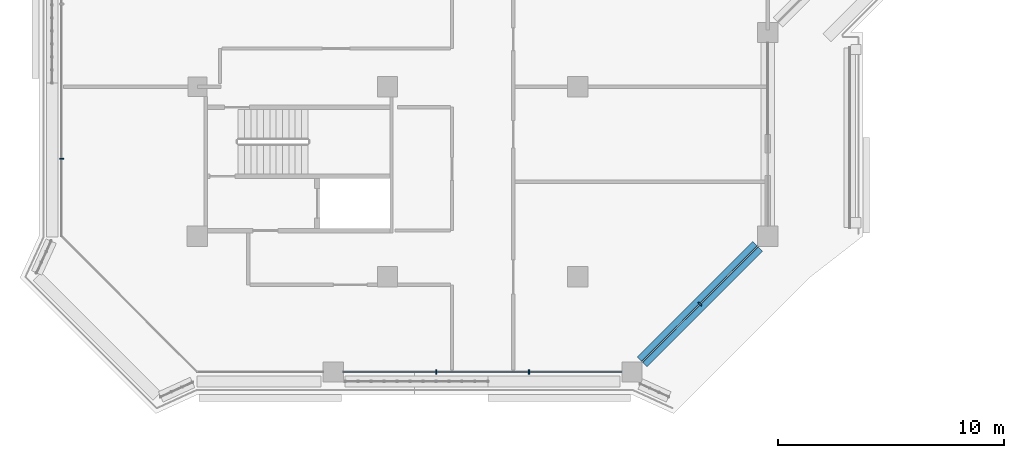
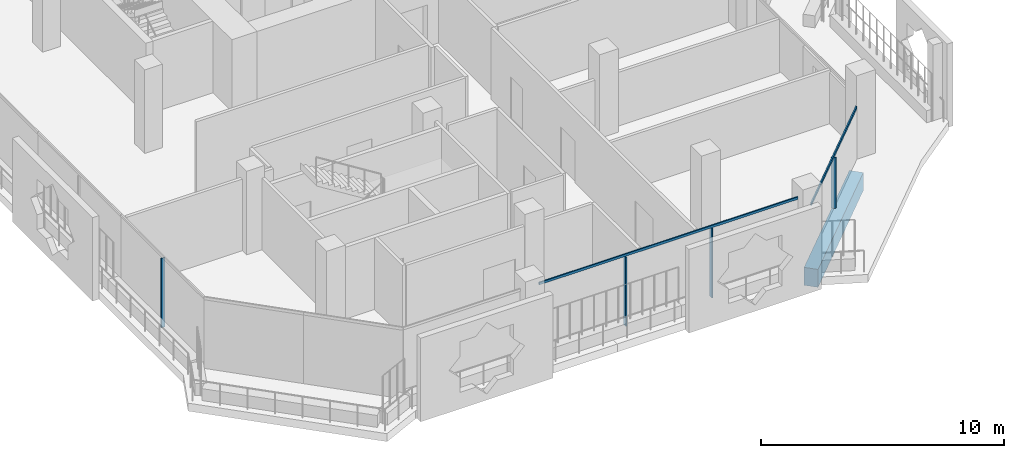
# One storey, part 2 of 21: 6 members, 1 beam, 3 elements without a shape of their own.
"""IFC4 building model written with IfcOpenShell, lengths in metres."""

from ifc_helpers import new_model, si_unit, direction, frame, origin, origin_2d, place, context, subcontext, project, spatial, rectangle, extrude, material, layer, layer_set, material_profile, profile_set, type_object, element, aggregate, save


model = new_model("IFC4")

# Units and contexts
model_context = context("Model", 3, precision=1e-05, world=origin(), true_north=direction((0.0, 1.0)))
body_context = subcontext(model_context, "Body", "Model", "MODEL_VIEW")
ifc_project = project(units=[si_unit("LENGTHUNIT", "METRE"), si_unit("AREAUNIT", "SQUARE_METRE"), si_unit("VOLUMEUNIT", "CUBIC_METRE"), si_unit("PLANEANGLEUNIT", "RADIAN"), si_unit("MASSUNIT", "GRAM", prefix="KILO")], contexts=[model_context])

# Site, building, storey
site_placement = place(None, origin())
site = spatial("IfcSite", under=ifc_project, at=site_placement, CompositionType="ELEMENT")
building_placement = place(site_placement, origin())
building = spatial("IfcBuilding", under=site, at=building_placement, Name="Kawkab Arch Medical Tower", CompositionType="ELEMENT")
storey_placement = place(building_placement, frame((0.0, 0.0, 243.199951171875)))
storey = spatial("IfcBuildingStorey", under=building, at=storey_placement, Name="L56", CompositionType="ELEMENT", Elevation=243.199951171875)

# Curtain wall, member
ifc_material_1 = material(Name="Bronze anodised aluminium curtain wall frame", Category="aluminium")
ifc_layer_1 = layer(ifc_material_1, 0.159912109375)
ifc_layer_set_1 = layer_set([ifc_layer_1], Name="Bronze anodised aluminium curtain wall frame")
curtain_wall_type_1 = type_object("IfcCurtainWallType", Name="CW1 ward curtain wall", PredefinedType="NOTDEFINED", material=ifc_layer_set_1)
placement = place(storey_placement, origin())
curtain_wall_1 = element("IfcCurtainWall", 1, at=placement, inside=storey, type_object=curtain_wall_type_1, Name="CW1 Ward curtain wall R01", PredefinedType="NOTDEFINED")
ifc_material_2 = material(Name="Bronze anodised aluminium curtain wall frame", Category="aluminium")
ifc_material_profile_1 = material_profile(ifc_material_2, rectangle(XDim=0.179931640625, YDim=0.06005859375, at=origin_2d()), Name="AL 60x180")
ifc_profile_set_1 = profile_set([ifc_material_profile_1], Name="Bronze anodised aluminium curtain wall frame")
member_type_1 = type_object("IfcMemberType", Name="CW1 mullion 60 x 180", PredefinedType="MULLION", material=ifc_profile_set_1)
member_1_placement = place(storey_placement, frame((-6.0, -36.780029296875, 0.0), z_axis=(0.0, 0.0, 1.0), x_axis=(1.0, 0.0, 0.0)))
member_1 = element("IfcMember", 2, at=member_1_placement, type_object=member_type_1, Name="CW1 mullion 5.1", PredefinedType="MULLION", context=body_context, shape_type="SweptSolid", body=[
    extrude(rectangle(XDim=0.179931640625, YDim=0.06005859375, at=origin_2d()), origin(), (0.0, 0.0, 1.0), 3.47998046875),
])
aggregate(curtain_wall_1, [member_1])

# Curtain wall, members
curtain_wall_2 = element("IfcCurtainWall", 3, at=placement, inside=storey, type_object=curtain_wall_type_1, Name="CW1 Ward curtain wall R03", PredefinedType="NOTDEFINED")
member_2_placement = place(storey_placement, frame((10.550048828125, -46.199951171875, 0.0), z_axis=(0.0, 0.0, 1.0), x_axis=(0.0, 1.0, 0.0)))
member_2 = element("IfcMember", 4, at=member_2_placement, type_object=member_type_1, Name="CW1 mullion 2.1", PredefinedType="MULLION", context=body_context, shape_type="SweptSolid", body=[
    extrude(rectangle(XDim=0.179931640625, YDim=0.06005859375, at=origin_2d()), origin(), (0.0, 0.0, 1.0), 3.47998046875),
])
member_3_placement = place(storey_placement, frame((14.64990234375, -46.199951171875, 0.0), z_axis=(0.0, 0.0, 1.0), x_axis=(0.0, 1.0, 0.0)))
member_3 = element("IfcMember", 5, at=member_3_placement, type_object=member_type_1, Name="CW1 mullion 2.2", PredefinedType="MULLION", context=body_context, shape_type="SweptSolid", body=[
    extrude(rectangle(XDim=0.179931640625, YDim=0.06005859375, at=origin_2d()), origin(), (0.0, 0.0, 1.0), 3.47998046875),
])
ifc_material_3 = material(Name="Bronze anodised aluminium curtain wall frame", Category="aluminium")
ifc_material_profile_2 = material_profile(ifc_material_3, rectangle(XDim=0.06005859375, YDim=0.1201171875, at=origin_2d()), Name="AL 60x120")
ifc_profile_set_2 = profile_set([ifc_material_profile_2], Name="Bronze anodised aluminium curtain wall frame")
member_type_2 = type_object("IfcMemberType", Name="CW1 transom 120 x 60", PredefinedType="USERDEFINED", material=ifc_profile_set_2)
member_4_placement = place(storey_placement, frame((6.449951171875, -46.199951171875, 3.5400390625), z_axis=(1.0, 0.0, 0.0), x_axis=(0.0, 1.0, 0.0)))
member_4 = element("IfcMember", 6, at=member_4_placement, type_object=member_type_2, Name="CW1 transom 2", ObjectType="TRANSOM", PredefinedType="USERDEFINED", context=body_context, shape_type="SweptSolid", body=[
    extrude(rectangle(XDim=0.06005859375, YDim=0.1201171875, at=origin_2d()), origin(), (0.0, 0.0, 1.0), 12.300048828125),
])
aggregate(curtain_wall_2, [member_4, member_2, member_3])

ifc_material_4 = material(Name="Bronze anodised aluminium curtain wall frame", Category="aluminium")
ifc_layer_2 = layer(ifc_material_4, 0.159912109375)
ifc_layer_set_2 = layer_set([ifc_layer_2], Name="Bronze anodised aluminium curtain wall frame")
curtain_wall_type_2 = type_object("IfcCurtainWallType", Name="CW2 chamfer curtain wall", PredefinedType="NOTDEFINED", material=ifc_layer_set_2)
curtain_wall_3 = element("IfcCurtainWall", 7, at=placement, inside=storey, type_object=curtain_wall_type_2, Name="CW2 Chamfer curtain wall R04", PredefinedType="NOTDEFINED")
ifc_material_5 = material(Name="Bronze anodised aluminium curtain wall frame", Category="aluminium")
ifc_material_profile_3 = material_profile(ifc_material_5, rectangle(XDim=0.199951171875, YDim=0.06005859375, at=origin_2d()), Name="AL 60x200")
ifc_profile_set_3 = profile_set([ifc_material_profile_3], Name="Bronze anodised aluminium curtain wall frame")
member_type_3 = type_object("IfcMemberType", Name="CW2 mullion 60 x 200", PredefinedType="MULLION", material=ifc_profile_set_3)
member_5_placement = place(storey_placement, frame((22.199951171875, -43.199951171875, 0.0), z_axis=(0.0, 0.0, 1.0), x_axis=(-0.707106781187, 0.707106781187, 0.0)))
member_5 = element("IfcMember", 8, at=member_5_placement, type_object=member_type_3, Name="CW2 mullion 1.1", PredefinedType="MULLION", context=body_context, shape_type="SweptSolid", body=[
    extrude(rectangle(XDim=0.199951171875, YDim=0.06005859375, at=origin_2d()), origin(), (0.0, 0.0, 1.0), 2.56005859375),
])
ifc_material_6 = material(Name="Bronze anodised aluminium curtain wall frame", Category="aluminium")
ifc_material_profile_4 = material_profile(ifc_material_6, rectangle(XDim=0.06005859375, YDim=0.139892578125, at=origin_2d()), Name="AL 60x140")
ifc_profile_set_4 = profile_set([ifc_material_profile_4], Name="Bronze anodised aluminium curtain wall frame")
member_type_4 = type_object("IfcMemberType", Name="CW2 transom 140 x 60", PredefinedType="USERDEFINED", material=ifc_profile_set_4)
member_6_placement = place(storey_placement, frame((19.64990234375, -45.75, 2.630126953125), z_axis=(0.707106781187, 0.707106781187, 0.0), x_axis=(-0.707106781187, 0.707106781187, 0.0)))
member_6 = element("IfcMember", 9, at=member_6_placement, type_object=member_type_4, Name="CW2 transom 1", ObjectType="TRANSOM", PredefinedType="USERDEFINED", context=body_context, shape_type="SweptSolid", body=[
    extrude(rectangle(XDim=0.06005859375, YDim=0.139892578125, at=origin_2d()), origin(), (0.0, 0.0, 1.0), 7.212646484375),
])
aggregate(curtain_wall_3, [member_6, member_5])

# Beam
ifc_material_7 = material(Name="Concrete C45/55", Category="concrete")
ifc_material_profile_5 = material_profile(ifc_material_7, rectangle(XDim=0.60009765625, YDim=0.89990234375, at=origin_2d()), Name="RC 600x900")
ifc_profile_set_5 = profile_set([ifc_material_profile_5], Name="Concrete C45/55")
beam_type = type_object("IfcBeamType", Name="RC 600x900 beam C45/55", PredefinedType="BEAM", material=ifc_profile_set_5)
beam_placement = place(storey_placement, frame((24.75, -40.64990234375, -1.050048828125), z_axis=(-0.707106781187, -0.707106781187, 0.0), x_axis=(0.707106781187, -0.707106781187, 0.0)))
element("IfcBeam", 10, at=beam_placement, inside=storey, type_object=beam_type, Name="Overhang edge beam L56-06", PredefinedType="BEAM", context=body_context, shape_type="SweptSolid", body=[
    extrude(rectangle(XDim=0.60009765625, YDim=0.89990234375, at=origin_2d()), origin(), (0.0, 0.0, 1.0), 7.212646484375),
])

save(model, "model.ifc")
